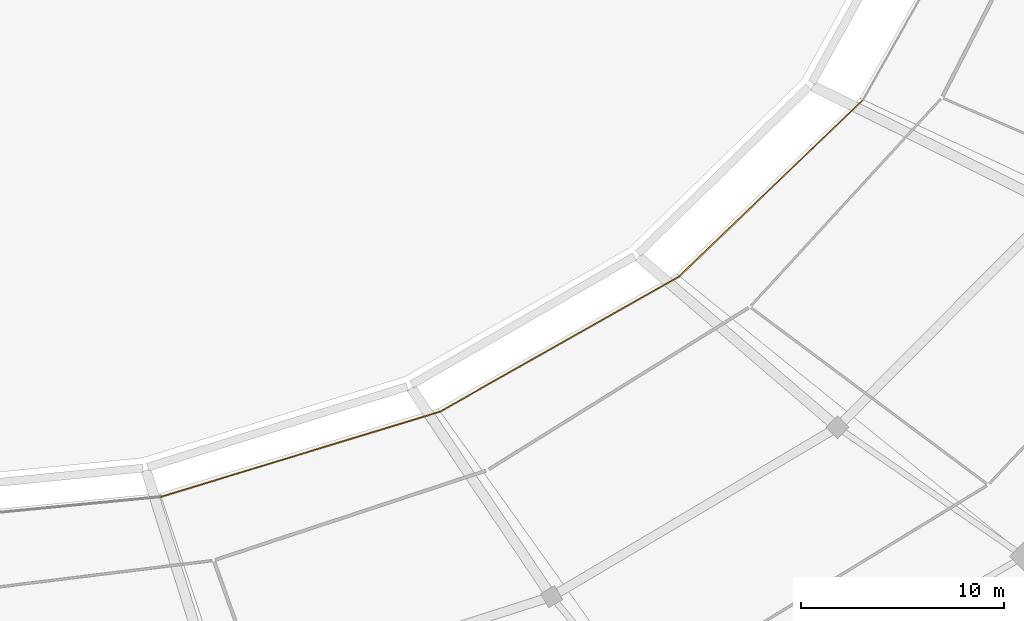
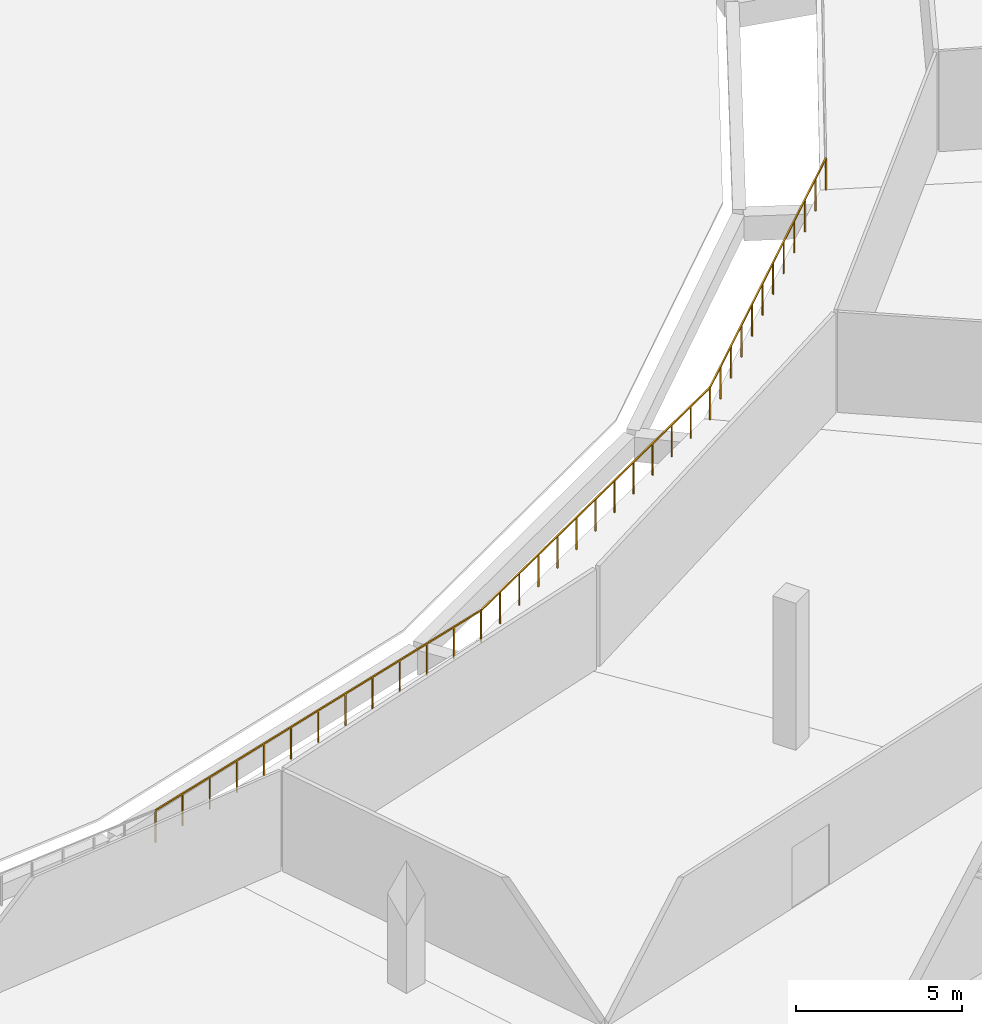
# One storey, part 70 of 82: 3 railings.
"""IFC4 building model written with IfcOpenShell, lengths in metres."""

from ifc_helpers import new_model, si_unit, direction, frame, origin, origin_2d, place, context, subcontext, project, spatial, rectangle, extrude, material, type_object, element, save


model = new_model("IFC4")

# Units and contexts
model_context = context("Model", 3, precision=1e-05, world=origin(), true_north=direction((0.0, 1.0)))
body_context = subcontext(model_context, "Body", "Model", "MODEL_VIEW")
ifc_project = project(units=[si_unit("LENGTHUNIT", "METRE"), si_unit("AREAUNIT", "SQUARE_METRE"), si_unit("VOLUMEUNIT", "CUBIC_METRE"), si_unit("PLANEANGLEUNIT", "RADIAN"), si_unit("MASSUNIT", "GRAM", prefix="KILO")], contexts=[model_context])

# Site, building, storey
site_placement = place(None, origin())
site = spatial("IfcSite", under=ifc_project, at=site_placement, CompositionType="ELEMENT")
building_placement = place(site_placement, origin())
building = spatial("IfcBuilding", under=site, at=building_placement, Name="Zlatoyarsky Gate Stadium", CompositionType="ELEMENT")
storey_placement = place(building_placement, origin())
storey = spatial("IfcBuildingStorey", under=building, at=storey_placement, Name="L00", CompositionType="ELEMENT", Elevation=0.0)

# Railings
ifc_material = material(Name="Powder-coated steel tubular guardrail", Category="steel")
railing_type = type_object("IfcRailingType", Name="CONCOURSE SLAB EDGE GUARDRAIL 1200", PredefinedType="GUARDRAIL", material=ifc_material)
railing_1_placement = place(storey_placement, frame((125.74755859375, 39.450439453125, 0.0)))
element("IfcRailing", 1, at=railing_1_placement, inside=storey, type_object=railing_type, Name="L00 inner bowl edge guardrail 19", PredefinedType="GUARDRAIL", context=body_context, shape_type="SweptSolid", body=[
    extrude(rectangle(XDim=0.048095703125, YDim=0.048095703125, at=origin_2d()), frame((0.0, 0.0, 1.17578125), z_axis=(0.956453212305, 0.291885684254, 0.0), x_axis=(-0.291885684254, 0.956453212305, 0.0)), (0.0, 0.0, 1.0), 14.3681640625),
    extrude(rectangle(XDim=0.0419921875, YDim=0.0419921875, at=origin_2d()), origin(), (0.0, 0.0, 1.0), 1.15185546875),
    extrude(rectangle(XDim=0.0419921875, YDim=0.0419921875, at=origin_2d()), frame((1.145263671875, 0.349609375, 0.0)), (0.0, 0.0, 1.0), 1.15185546875),
    extrude(rectangle(XDim=0.0419921875, YDim=0.0419921875, at=origin_2d()), frame((2.29052734375, 0.698974609375, 0.0)), (0.0, 0.0, 1.0), 1.15185546875),
    extrude(rectangle(XDim=0.0419921875, YDim=0.0419921875, at=origin_2d()), frame((3.435546875, 1.04833984375, 0.0)), (0.0, 0.0, 1.0), 1.15185546875),
    extrude(rectangle(XDim=0.0419921875, YDim=0.0419921875, at=origin_2d()), frame((4.580810546875, 1.39794921875, 0.0)), (0.0, 0.0, 1.0), 1.15185546875),
    extrude(rectangle(XDim=0.0419921875, YDim=0.0419921875, at=origin_2d()), frame((5.72607421875, 1.74755859375, 0.0)), (0.0, 0.0, 1.0), 1.15185546875),
    extrude(rectangle(XDim=0.0419921875, YDim=0.0419921875, at=origin_2d()), frame((6.87109375, 2.096923828125, 0.0)), (0.0, 0.0, 1.0), 1.15185546875),
    extrude(rectangle(XDim=0.0419921875, YDim=0.0419921875, at=origin_2d()), frame((8.016357421875, 2.4462890625, 0.0)), (0.0, 0.0, 1.0), 1.15185546875),
    extrude(rectangle(XDim=0.0419921875, YDim=0.0419921875, at=origin_2d()), frame((9.16162109375, 2.7958984375, 0.0)), (0.0, 0.0, 1.0), 1.15185546875),
    extrude(rectangle(XDim=0.0419921875, YDim=0.0419921875, at=origin_2d()), frame((10.306884765625, 3.1455078125, 0.0)), (0.0, 0.0, 1.0), 1.15185546875),
    extrude(rectangle(XDim=0.0419921875, YDim=0.0419921875, at=origin_2d()), frame((11.4521484375, 3.494873046875, 0.0)), (0.0, 0.0, 1.0), 1.15185546875),
    extrude(rectangle(XDim=0.0419921875, YDim=0.0419921875, at=origin_2d()), frame((12.59716796875, 3.84423828125, 0.0)), (0.0, 0.0, 1.0), 1.15185546875),
    extrude(rectangle(XDim=0.0419921875, YDim=0.0419921875, at=origin_2d()), frame((13.742431640625, 4.19384765625, 0.0)), (0.0, 0.0, 1.0), 1.15185546875),
])
railing_2_placement = place(storey_placement, frame((139.489990234375, 43.644287109375, 0.0)))
element("IfcRailing", 2, at=railing_2_placement, inside=storey, type_object=railing_type, Name="L00 inner bowl edge guardrail 20", PredefinedType="GUARDRAIL", context=body_context, shape_type="SweptSolid", body=[
    extrude(rectangle(XDim=0.048095703125, YDim=0.048095703125, at=origin_2d()), frame((0.0, 0.0, 1.17578125), z_axis=(0.870523591827, 0.492126687015, 0.0), x_axis=(-0.492126687015, 0.870523591827, 0.0)), (0.0, 0.0, 1.0), 13.55615234375),
    extrude(rectangle(XDim=0.0419921875, YDim=0.0419921875, at=origin_2d()), origin(), (0.0, 0.0, 1.0), 1.15185546875),
    extrude(rectangle(XDim=0.0419921875, YDim=0.0419921875, at=origin_2d()), frame((0.9833984375, 0.555908203125, 0.0)), (0.0, 0.0, 1.0), 1.15185546875),
    extrude(rectangle(XDim=0.0419921875, YDim=0.0419921875, at=origin_2d()), frame((1.966796875, 1.11181640625, 0.0)), (0.0, 0.0, 1.0), 1.15185546875),
    extrude(rectangle(XDim=0.0419921875, YDim=0.0419921875, at=origin_2d()), frame((2.9501953125, 1.66796875, 0.0)), (0.0, 0.0, 1.0), 1.15185546875),
    extrude(rectangle(XDim=0.0419921875, YDim=0.0419921875, at=origin_2d()), frame((3.93359375, 2.223876953125, 0.0)), (0.0, 0.0, 1.0), 1.15185546875),
    extrude(rectangle(XDim=0.0419921875, YDim=0.0419921875, at=origin_2d()), frame((4.9169921875, 2.77978515625, 0.0)), (0.0, 0.0, 1.0), 1.15185546875),
    extrude(rectangle(XDim=0.0419921875, YDim=0.0419921875, at=origin_2d()), frame((5.900390625, 3.335693359375, 0.0)), (0.0, 0.0, 1.0), 1.15185546875),
    extrude(rectangle(XDim=0.0419921875, YDim=0.0419921875, at=origin_2d()), frame((6.884033203125, 3.8916015625, 0.0)), (0.0, 0.0, 1.0), 1.15185546875),
    extrude(rectangle(XDim=0.0419921875, YDim=0.0419921875, at=origin_2d()), frame((7.867431640625, 4.447509765625, 0.0)), (0.0, 0.0, 1.0), 1.15185546875),
    extrude(rectangle(XDim=0.0419921875, YDim=0.0419921875, at=origin_2d()), frame((8.850830078125, 5.00341796875, 0.0)), (0.0, 0.0, 1.0), 1.15185546875),
    extrude(rectangle(XDim=0.0419921875, YDim=0.0419921875, at=origin_2d()), frame((9.834228515625, 5.5595703125, 0.0)), (0.0, 0.0, 1.0), 1.15185546875),
    extrude(rectangle(XDim=0.0419921875, YDim=0.0419921875, at=origin_2d()), frame((10.817626953125, 6.115478515625, 0.0)), (0.0, 0.0, 1.0), 1.15185546875),
    extrude(rectangle(XDim=0.0419921875, YDim=0.0419921875, at=origin_2d()), frame((11.801025390625, 6.67138671875, 0.0)), (0.0, 0.0, 1.0), 1.15185546875),
])
railing_3_placement = place(storey_placement, frame((151.291015625, 50.315673828125, 0.0)))
element("IfcRailing", 3, at=railing_3_placement, inside=storey, type_object=railing_type, Name="L00 inner bowl edge guardrail 21", PredefinedType="GUARDRAIL", context=body_context, shape_type="SweptSolid", body=[
    extrude(rectangle(XDim=0.048095703125, YDim=0.048095703125, at=origin_2d()), frame((0.0, 0.0, 1.17578125), z_axis=(0.721332909248, 0.692588502673, 0.0), x_axis=(-0.692588502673, 0.721332909248, 0.0)), (0.0, 0.0, 1.0), 12.553466796875),
    extrude(rectangle(XDim=0.0419921875, YDim=0.0419921875, at=origin_2d()), origin(), (0.0, 0.0, 1.0), 1.15185546875),
    extrude(rectangle(XDim=0.0419921875, YDim=0.0419921875, at=origin_2d()), frame((0.8232421875, 0.790283203125, 0.0)), (0.0, 0.0, 1.0), 1.15185546875),
    extrude(rectangle(XDim=0.0419921875, YDim=0.0419921875, at=origin_2d()), frame((1.646484375, 1.580810546875, 0.0)), (0.0, 0.0, 1.0), 1.15185546875),
    extrude(rectangle(XDim=0.0419921875, YDim=0.0419921875, at=origin_2d()), frame((2.469482421875, 2.37109375, 0.0)), (0.0, 0.0, 1.0), 1.15185546875),
    extrude(rectangle(XDim=0.0419921875, YDim=0.0419921875, at=origin_2d()), frame((3.292724609375, 3.16162109375, 0.0)), (0.0, 0.0, 1.0), 1.15185546875),
    extrude(rectangle(XDim=0.0419921875, YDim=0.0419921875, at=origin_2d()), frame((4.115966796875, 3.951904296875, 0.0)), (0.0, 0.0, 1.0), 1.15185546875),
    extrude(rectangle(XDim=0.0419921875, YDim=0.0419921875, at=origin_2d()), frame((4.939208984375, 4.742431640625, 0.0)), (0.0, 0.0, 1.0), 1.15185546875),
    extrude(rectangle(XDim=0.0419921875, YDim=0.0419921875, at=origin_2d()), frame((5.762451171875, 5.53271484375, 0.0)), (0.0, 0.0, 1.0), 1.15185546875),
    extrude(rectangle(XDim=0.0419921875, YDim=0.0419921875, at=origin_2d()), frame((6.585693359375, 6.3232421875, 0.0)), (0.0, 0.0, 1.0), 1.15185546875),
    extrude(rectangle(XDim=0.0419921875, YDim=0.0419921875, at=origin_2d()), frame((7.40869140625, 7.113525390625, 0.0)), (0.0, 0.0, 1.0), 1.15185546875),
    extrude(rectangle(XDim=0.0419921875, YDim=0.0419921875, at=origin_2d()), frame((8.23193359375, 7.904052734375, 0.0)), (0.0, 0.0, 1.0), 1.15185546875),
    extrude(rectangle(XDim=0.0419921875, YDim=0.0419921875, at=origin_2d()), frame((9.05517578125, 8.6943359375, 0.0)), (0.0, 0.0, 1.0), 1.15185546875),
])

save(model, "model.ifc")
